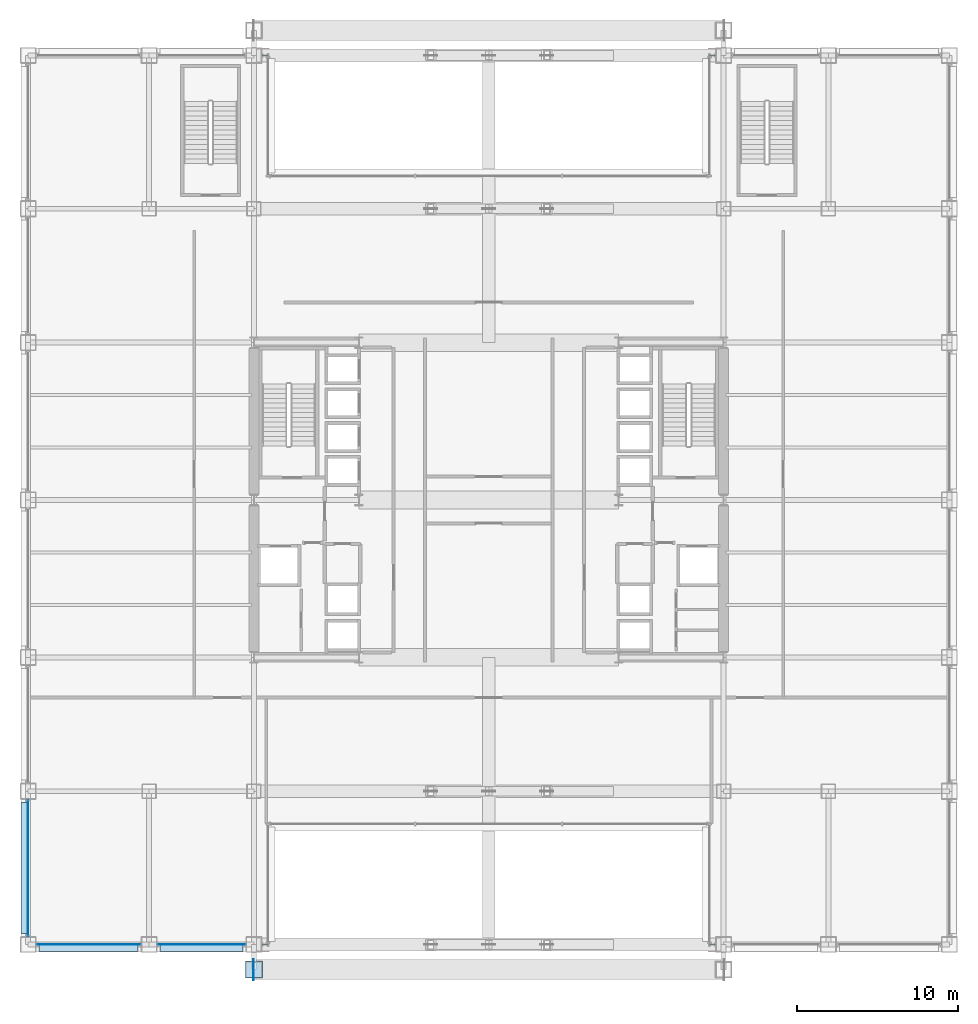
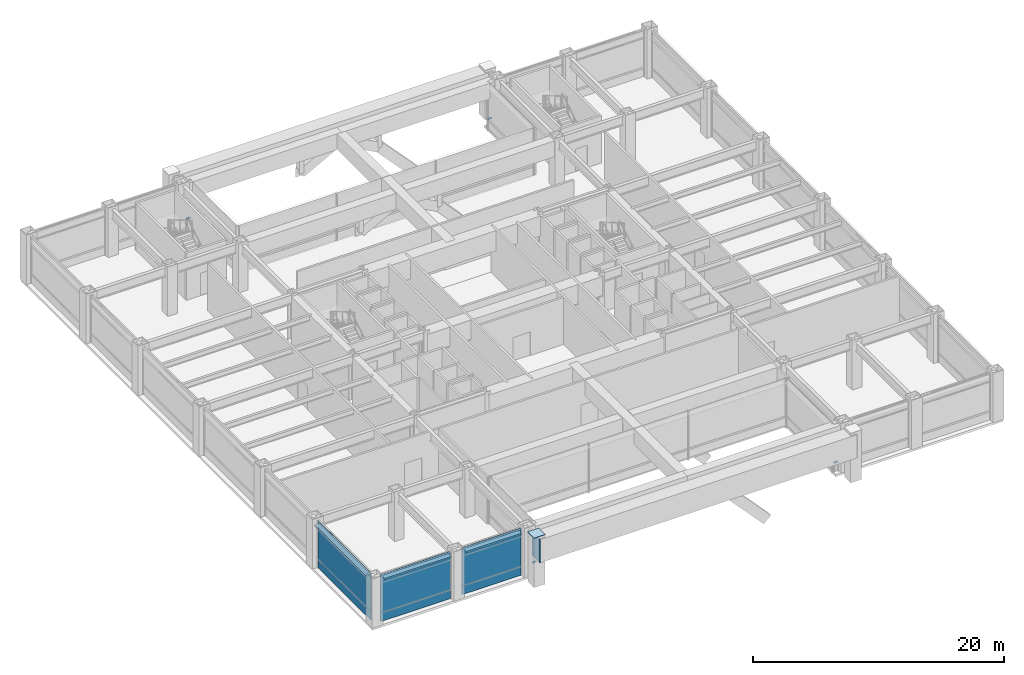
# One storey, part 23 of 37: 11 plates, 4 members, 7 elements without a shape of their own.
"""IFC4 building model written with IfcOpenShell, lengths in metres."""

from ifc_helpers import new_model, si_unit, direction, frame, origin, origin_2d, place, context, subcontext, project, spatial, rectangle, hollow_rectangle, extrude, material, layer, layer_set, material_profile, profile_set, type_object, element, aggregate, save


model = new_model("IFC4")

# Units and contexts
model_context = context("Model", 3, precision=1e-05, world=origin(), true_north=direction((0.0, 1.0)))
body_context = subcontext(model_context, "Body", "Model", "MODEL_VIEW")
ifc_project = project(units=[si_unit("LENGTHUNIT", "METRE"), si_unit("AREAUNIT", "SQUARE_METRE"), si_unit("VOLUMEUNIT", "CUBIC_METRE"), si_unit("PLANEANGLEUNIT", "RADIAN"), si_unit("MASSUNIT", "GRAM", prefix="KILO")], contexts=[model_context])

# Site, building, storey
site_placement = place(None, origin())
site = spatial("IfcSite", under=ifc_project, at=site_placement, CompositionType="ELEMENT")
building_placement = place(site_placement, origin())
building = spatial("IfcBuilding", under=site, at=building_placement, Name="Brelmoor Portico Tower", CompositionType="ELEMENT")
storey_placement = place(building_placement, frame((0.0, 0.0, 14.39990234375)))
storey = spatial("IfcBuildingStorey", under=building, at=storey_placement, Name="L03", CompositionType="ELEMENT", Elevation=14.39990234375)

# Curtain wall, member
ifc_material_1 = material(Name="Anodised Aluminium Alloy 6063-T6", Category="aluminium")
ifc_layer_1 = layer(ifc_material_1, 0.179931640625)
ifc_layer_set_1 = layer_set([ifc_layer_1], Name="Anodised Aluminium Alloy 6063-T6")
curtain_wall_type = type_object("IfcCurtainWallType", Name="CW-PODIUM-ARCH", PredefinedType="NOTDEFINED", material=ifc_layer_set_1)
curtain_wall_1_placement = place(storey_placement, origin())
curtain_wall_1 = element("IfcCurtainWall", 1, at=curtain_wall_1_placement, inside=storey, type_object=curtain_wall_type, Name="L03 Curtain Wall CW-L03-01-3", PredefinedType="NOTDEFINED")
ifc_material_profile = material_profile(ifc_material_1, hollow_rectangle(XDim=0.070068359375, YDim=0.159912109375, WallThickness=0.00390625, at=origin_2d()), Name="ALU TRANSOM 70x160")
ifc_profile_set = profile_set([ifc_material_profile], Name="Anodised Aluminium Alloy 6063-T6")
member_type = type_object("IfcMemberType", Name="MB-CW-TRAN-160", PredefinedType="USERDEFINED", material=ifc_profile_set)
member_1_placement = place(storey_placement, frame((-14.0400390625, -27.550048828125, 0.85009765625), z_axis=(1.0, 0.0, 0.0), x_axis=(0.0, 1.0, 0.0)))
member_1 = element("IfcMember", 2, at=member_1_placement, type_object=member_type, Name="CW-L03-01-3 Transom 1-00", ObjectType="TRANSOM", PredefinedType="USERDEFINED", context=body_context, shape_type="SweptSolid", body=[
    extrude(hollow_rectangle(XDim=0.070068359375, YDim=0.159912109375, WallThickness=0.00390625, at=origin_2d()), origin(), (0.0, 0.0, 1.0), 0.360107421875),
])
aggregate(curtain_wall_1, [member_1])

curtain_wall_2_placement = place(storey_placement, origin())
curtain_wall_2 = element("IfcCurtainWall", 3, at=curtain_wall_2_placement, inside=storey, type_object=curtain_wall_type, Name="L03 Curtain Wall CW-L03-02-1", PredefinedType="NOTDEFINED")
member_2_placement = place(storey_placement, frame((13.679931640625, -27.550048828125, 0.85009765625), z_axis=(1.0, 0.0, 0.0), x_axis=(0.0, 1.0, 0.0)))
member_2 = element("IfcMember", 4, at=member_2_placement, type_object=member_type, Name="CW-L03-02-1 Transom 1-00", ObjectType="TRANSOM", PredefinedType="USERDEFINED", context=body_context, shape_type="SweptSolid", body=[
    extrude(hollow_rectangle(XDim=0.070068359375, YDim=0.159912109375, WallThickness=0.00390625, at=origin_2d()), origin(), (0.0, 0.0, 1.0), 0.360107421875),
])
aggregate(curtain_wall_2, [member_2])

curtain_wall_3_placement = place(storey_placement, origin())
curtain_wall_3 = element("IfcCurtainWall", 5, at=curtain_wall_3_placement, inside=storey, type_object=curtain_wall_type, Name="L03 Curtain Wall CW-L03-06-3", PredefinedType="NOTDEFINED")
member_3_placement = place(storey_placement, frame((-14.0400390625, 27.550048828125, 0.85009765625), z_axis=(1.0, 0.0, 0.0), x_axis=(0.0, 1.0, 0.0)))
member_3 = element("IfcMember", 6, at=member_3_placement, type_object=member_type, Name="CW-L03-06-3 Transom 1-00", ObjectType="TRANSOM", PredefinedType="USERDEFINED", context=body_context, shape_type="SweptSolid", body=[
    extrude(hollow_rectangle(XDim=0.070068359375, YDim=0.159912109375, WallThickness=0.00390625, at=origin_2d()), origin(), (0.0, 0.0, 1.0), 0.360107421875),
])
aggregate(curtain_wall_3, [member_3])

curtain_wall_4_placement = place(storey_placement, origin())
curtain_wall_4 = element("IfcCurtainWall", 7, at=curtain_wall_4_placement, inside=storey, type_object=curtain_wall_type, Name="L03 Curtain Wall CW-L03-07-1", PredefinedType="NOTDEFINED")
member_4_placement = place(storey_placement, frame((13.679931640625, 27.550048828125, 0.85009765625), z_axis=(1.0, 0.0, 0.0), x_axis=(0.0, 1.0, 0.0)))
member_4 = element("IfcMember", 8, at=member_4_placement, type_object=member_type, Name="CW-L03-07-1 Transom 1-00", ObjectType="TRANSOM", PredefinedType="USERDEFINED", context=body_context, shape_type="SweptSolid", body=[
    extrude(hollow_rectangle(XDim=0.070068359375, YDim=0.159912109375, WallThickness=0.00390625, at=origin_2d()), origin(), (0.0, 0.0, 1.0), 0.360107421875),
])
aggregate(curtain_wall_4, [member_4])

# Plates
ifc_material_2 = material(Name="Steel Q355B", Category="steel")
ifc_layer_2 = layer(ifc_material_2, 0.044921875)
ifc_layer_set_2 = layer_set([ifc_layer_2], Name="Steel Q355B")
plate_type_1 = type_object("IfcPlateType", Name="PT-CAP-650", PredefinedType="SHEET", material=ifc_layer_set_2)
plate_1_placement = place(storey_placement, frame((-14.550048828125, -29.10009765625, 4.800048828125), z_axis=(0.0, 0.0, 1.0), x_axis=(1.0, 0.0, 0.0)))
element("IfcPlate", 9, at=plate_1_placement, inside=storey, type_object=plate_type_1, Name="L03 Giant Arch Entrance Portal Pier EP-SW Welded Head Cap Plate", PredefinedType="SHEET", context=body_context, shape_type="SweptSolid", body=[
    extrude(rectangle(XDim=1.0400390625, YDim=1.0400390625, at=origin_2d()), origin(), (0.0, 0.0, 1.0), 0.0400390625),
])
plate_2_placement = place(storey_placement, frame((-14.570068359375, -29.10009765625, 2.31005859375), z_axis=(0.0, 0.0, 1.0), x_axis=(1.0, 0.0, 0.0)))
element("IfcPlate", 10, at=plate_2_placement, inside=storey, type_object=plate_type_1, Name="L03 Entrance Portal Header End Cap Plate S-W", PredefinedType="SHEET", context=body_context, shape_type="SweptSolid", body=[
    extrude(rectangle(XDim=0.0400390625, YDim=1.2900390625, at=origin_2d()), origin(), (0.0, 0.0, 1.0), 2.2900390625),
])

# Curtain wall, plate
curtain_wall_5_placement = place(storey_placement, origin())
curtain_wall_5 = element("IfcCurtainWall", 11, at=curtain_wall_5_placement, inside=storey, type_object=curtain_wall_type, Name="L03 Curtain Wall CW-L03-01-1", PredefinedType="NOTDEFINED")
ifc_material_3 = material(Name="Double-Silver Low-E Insulated Glazing", Category="glass")
ifc_layer_3 = layer(ifc_material_3, 0.035888671875)
ifc_layer_set_3 = layer_set([ifc_layer_3], Name="Double-Silver Low-E Insulated Glazing")
plate_type_2 = type_object("IfcPlateType", Name="PT-CW-GLASS", PredefinedType="CURTAIN_PANEL", material=ifc_layer_set_3)
plate_3_placement = place(storey_placement, frame((-24.800048828125, -27.550048828125, 0.85009765625), z_axis=(0.0, 0.0, 1.0), x_axis=(1.0, 0.0, 0.0)))
plate_3 = element("IfcPlate", 12, at=plate_3_placement, type_object=plate_type_2, Name="CW-L03-01-1 Vision Glass Panel 00", PredefinedType="CURTAIN_PANEL", context=body_context, shape_type="SweptSolid", body=[
    extrude(rectangle(XDim=6.449951171875, YDim=0.035888671875, at=origin_2d()), origin(), (0.0, 0.0, 1.0), 3.72998046875),
])

curtain_wall_6_placement = place(storey_placement, origin())
curtain_wall_6 = element("IfcCurtainWall", 13, at=curtain_wall_6_placement, inside=storey, type_object=curtain_wall_type, Name="L03 Curtain Wall CW-L03-01-2", PredefinedType="NOTDEFINED")
plate_4_placement = place(storey_placement, frame((-17.800048828125, -27.550048828125, 0.85009765625), z_axis=(0.0, 0.0, 1.0), x_axis=(1.0, 0.0, 0.0)))
plate_4 = element("IfcPlate", 14, at=plate_4_placement, type_object=plate_type_2, Name="CW-L03-01-2 Vision Glass Panel 00", PredefinedType="CURTAIN_PANEL", context=body_context, shape_type="SweptSolid", body=[
    extrude(rectangle(XDim=5.449951171875, YDim=0.035888671875, at=origin_2d()), origin(), (0.0, 0.0, 1.0), 3.72998046875),
])

curtain_wall_7_placement = place(storey_placement, origin())
curtain_wall_7 = element("IfcCurtainWall", 15, at=curtain_wall_7_placement, inside=storey, type_object=curtain_wall_type, Name="L03 Curtain Wall CW-L03-11-1", PredefinedType="NOTDEFINED")
plate_5_placement = place(storey_placement, frame((-28.550048828125, -22.800048828125, 0.85009765625), z_axis=(0.0, 0.0, 1.0), x_axis=(0.0, 1.0, 0.0)))
plate_5 = element("IfcPlate", 16, at=plate_5_placement, type_object=plate_type_2, Name="CW-L03-11-1 Vision Glass Panel 00", PredefinedType="CURTAIN_PANEL", context=body_context, shape_type="SweptSolid", body=[
    extrude(rectangle(XDim=8.449951171875, YDim=0.035888671875, at=origin_2d()), origin(), (0.0, 0.0, 1.0), 3.72998046875),
])

# Plate
ifc_material_4 = material(Name="Pale Champagne Anodised Aluminium Panel", Category="aluminium")
ifc_layer_4 = layer(ifc_material_4, 0.050048828125)
ifc_layer_set_4 = layer_set([ifc_layer_4], Name="Pale Champagne Anodised Aluminium Panel")
plate_type_3 = type_object("IfcPlateType", Name="PT-CW-SPANDREL", PredefinedType="SHEET", material=ifc_layer_set_4)
plate_6_placement = place(storey_placement, frame((-24.800048828125, -27.550048828125, 0.0), z_axis=(0.0, 0.0, 1.0), x_axis=(1.0, 0.0, 0.0)))
plate_6 = element("IfcPlate", 17, at=plate_6_placement, type_object=plate_type_3, Name="CW-L03-01-1 Spandrel Panel 00", PredefinedType="SHEET", context=body_context, shape_type="SweptSolid", body=[
    extrude(rectangle(XDim=6.449951171875, YDim=0.050048828125, at=origin_2d()), origin(), (0.0, 0.0, 1.0), 0.85009765625),
])

aggregate(curtain_wall_5, [plate_6, plate_3])

plate_7_placement = place(storey_placement, frame((-17.800048828125, -27.550048828125, 0.0), z_axis=(0.0, 0.0, 1.0), x_axis=(1.0, 0.0, 0.0)))
plate_7 = element("IfcPlate", 18, at=plate_7_placement, type_object=plate_type_3, Name="CW-L03-01-2 Spandrel Panel 00", PredefinedType="SHEET", context=body_context, shape_type="SweptSolid", body=[
    extrude(rectangle(XDim=5.449951171875, YDim=0.050048828125, at=origin_2d()), origin(), (0.0, 0.0, 1.0), 0.85009765625),
])

aggregate(curtain_wall_6, [plate_7, plate_4])

plate_8_placement = place(storey_placement, frame((-28.550048828125, -22.800048828125, 0.0), z_axis=(0.0, 0.0, 1.0), x_axis=(0.0, 1.0, 0.0)))
plate_8 = element("IfcPlate", 19, at=plate_8_placement, type_object=plate_type_3, Name="CW-L03-11-1 Spandrel Panel 00", PredefinedType="SHEET", context=body_context, shape_type="SweptSolid", body=[
    extrude(rectangle(XDim=8.449951171875, YDim=0.050048828125, at=origin_2d()), origin(), (0.0, 0.0, 1.0), 0.85009765625),
])

aggregate(curtain_wall_7, [plate_8, plate_5])

# Plates
ifc_material_5 = material(Name="Pale Champagne Perforated Aluminium Solar Screen", Category="aluminium")
ifc_layer_5 = layer(ifc_material_5, 0.054931640625)
ifc_layer_set_5 = layer_set([ifc_layer_5], Name="Pale Champagne Perforated Aluminium Solar Screen")
plate_type_4 = type_object("IfcPlateType", Name="PT-SOLAR-LOUVRE", PredefinedType="SHEET", material=ifc_layer_set_5)
plate_9_placement = place(storey_placement, frame((-24.800048828125, -27.760009765625, 4.27001953125), z_axis=(0.0, 0.0, 1.0), x_axis=(1.0, 0.0, 0.0)))
element("IfcPlate", 20, at=plate_9_placement, inside=storey, type_object=plate_type_4, Name="CW-L03-01-1 Caribbean Brise-Soleil Solar Screen", PredefinedType="SHEET", context=body_context, shape_type="SweptSolid", body=[
    extrude(rectangle(XDim=6.1201171875, YDim=0.4599609375, at=origin_2d()), origin(), (0.0, 0.0, 1.0), 0.139892578125),
])
plate_10_placement = place(storey_placement, frame((-17.800048828125, -27.760009765625, 4.27001953125), z_axis=(0.0, 0.0, 1.0), x_axis=(1.0, 0.0, 0.0)))
element("IfcPlate", 21, at=plate_10_placement, inside=storey, type_object=plate_type_4, Name="CW-L03-01-2 Caribbean Brise-Soleil Solar Screen", PredefinedType="SHEET", context=body_context, shape_type="SweptSolid", body=[
    extrude(rectangle(XDim=5.1201171875, YDim=0.4599609375, at=origin_2d()), origin(), (0.0, 0.0, 1.0), 0.139892578125),
])
plate_11_placement = place(storey_placement, frame((-28.760009765625, -22.800048828125, 4.27001953125), z_axis=(0.0, 0.0, 1.0), x_axis=(0.0, 1.0, 0.0)))
element("IfcPlate", 22, at=plate_11_placement, inside=storey, type_object=plate_type_4, Name="CW-L03-11-1 Caribbean Brise-Soleil Solar Screen", PredefinedType="SHEET", context=body_context, shape_type="SweptSolid", body=[
    extrude(rectangle(XDim=8.1201171875, YDim=0.4599609375, at=origin_2d()), origin(), (0.0, 0.0, 1.0), 0.139892578125),
])

save(model, "model.ifc")
